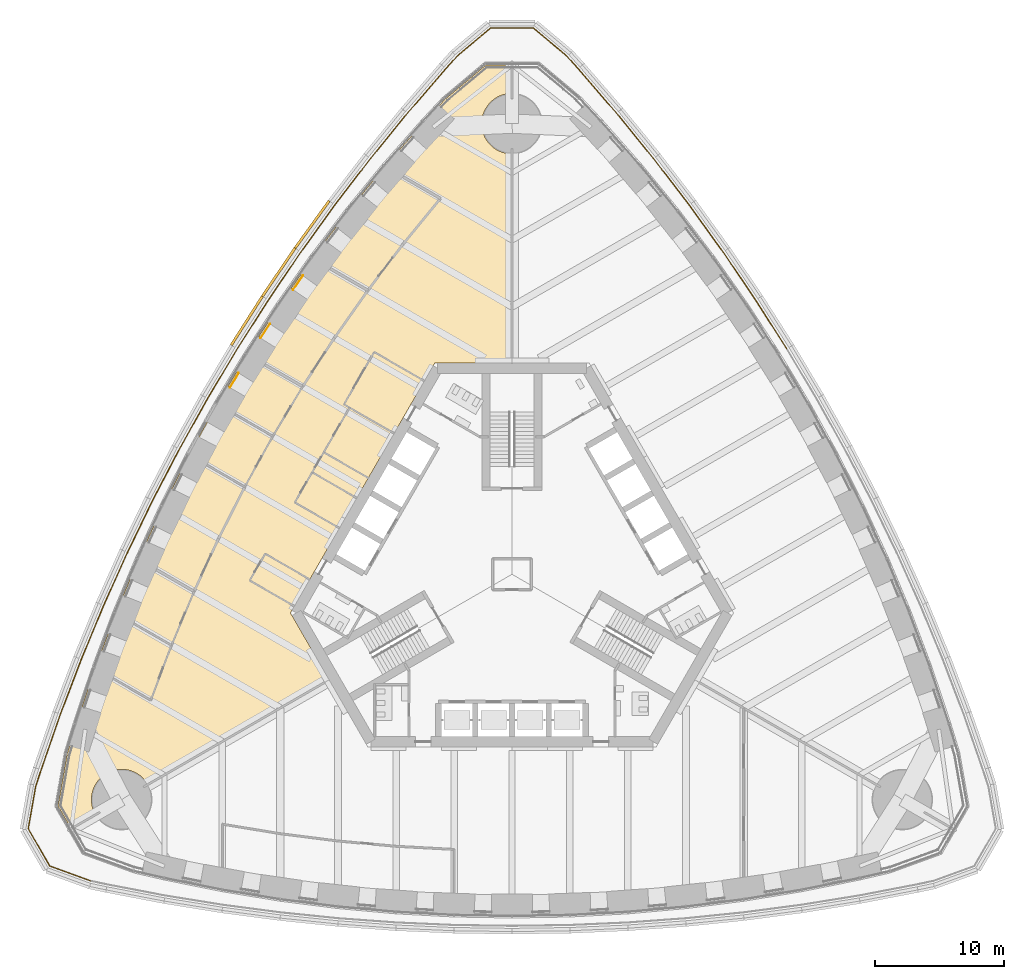
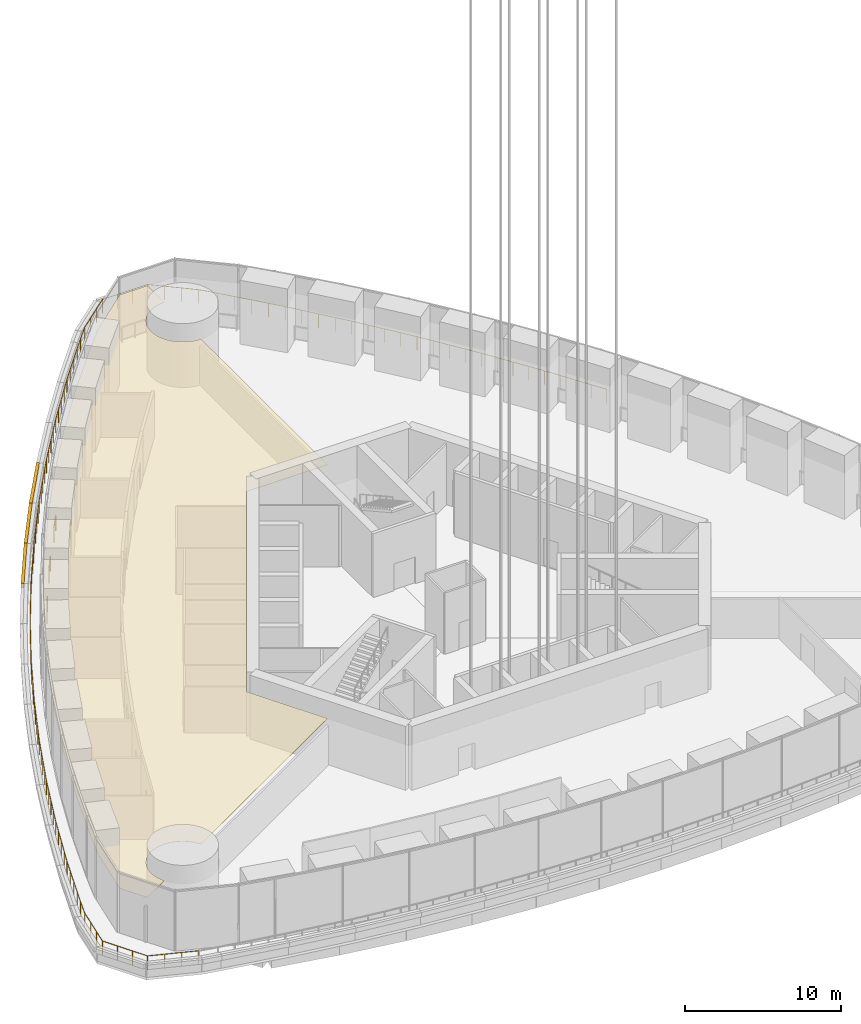
# One storey, part 20 of 33: 4 coverings, 4 railings.
"""IFC4 building model written with IfcOpenShell, lengths in metres."""

from ifc_helpers import new_model, si_unit, direction, frame, origin, origin_2d, place, context, subcontext, project, spatial, polyline, rectangle, circle, outline, extrude, material, layer, layer_set, type_object, element, save


model = new_model("IFC4")

# Units and contexts
model_context = context("Model", 3, precision=1e-05, world=origin(), true_north=direction((0.0, 1.0)))
body_context = subcontext(model_context, "Body", "Model", "MODEL_VIEW")
ifc_project = project(units=[si_unit("LENGTHUNIT", "METRE"), si_unit("AREAUNIT", "SQUARE_METRE"), si_unit("VOLUMEUNIT", "CUBIC_METRE"), si_unit("PLANEANGLEUNIT", "RADIAN"), si_unit("MASSUNIT", "GRAM", prefix="KILO")], contexts=[model_context])

# Site, building, storey
site_placement = place(None, origin())
site = spatial("IfcSite", under=ifc_project, at=site_placement, CompositionType="ELEMENT")
building_placement = place(site_placement, origin())
building = spatial("IfcBuilding", under=site, at=building_placement, Name="Trefoil Bronze Tower", CompositionType="ELEMENT")
storey_placement = place(building_placement, frame((0.0, 0.0, 98.10009765625)))
storey = spatial("IfcBuildingStorey", under=building, at=storey_placement, Name="L22", CompositionType="ELEMENT", Elevation=98.10009765625)

# Covering
ifc_material_1 = material(Name="Bronze metal ceiling panels", Category="metal")
ifc_layer = layer(ifc_material_1, 0.02001953125)
ifc_layer_set = layer_set([ifc_layer], Name="Feature ceiling 20")
covering_type_1 = type_object("IfcCoveringType", Name="Feature ceiling 20", PredefinedType="CEILING", material=ifc_layer_set)
covering_1_placement = place(storey_placement, frame((0.0, 0.0, 3.599853515625)))
element("IfcCovering", 1, at=covering_1_placement, inside=storey, type_object=covering_type_1, Name="Ceiling L22 Business centre F3", PredefinedType="CEILING", context=body_context, shape_type="SweptSolid", body=[
    extrude(outline(polyline([(-33.847900390625, -11.634765625), (-32.385986328125, -7.28271484375), (-30.776611328125, -3.015625), (-29.022216796875, 1.16748046875), (-27.124755859375, 5.268310546875), (-25.085693359375, 9.287109375), (-22.906005859375, 13.224853515625), (-20.585693359375, 17.081298828125), (-18.124755859375, 20.856689453125), (-15.522216796875, 24.55029296875), (-12.776611328125, 28.1611328125), (-9.885986328125, 31.6884765625), (-6.847900390625, 35.130615234375), (-5.1962890625, 36.8994140625), (-2.052001953125, 39.53759765625), (-0.014892578125, 39.53759765625), (-0.013916015625, 37.349609375), (-0.115234375, 37.34716796875), (-0.230224609375, 37.338623046875), (-0.3447265625, 37.32470703125), (-0.45849609375, 37.3046875), (-0.571044921875, 37.279541015625), (-0.68212890625, 37.248779296875), (-0.791748046875, 37.212646484375), (-0.8994140625, 37.171142578125), (-1.0048828125, 37.12451171875), (-1.10791015625, 37.072509765625), (-1.2080078125, 37.015625), (-1.3056640625, 36.9541015625), (-1.39990234375, 36.887451171875), (-1.49072265625, 36.816650390625), (-1.578125, 36.7412109375), (-1.66162109375, 36.66162109375), (-1.7412109375, 36.578125), (-1.816650390625, 36.49072265625), (-1.887451171875, 36.39990234375), (-1.9541015625, 36.3056640625), (-2.015625, 36.2080078125), (-2.072509765625, 36.10791015625), (-2.12451171875, 36.0048828125), (-2.171142578125, 35.8994140625), (-2.212646484375, 35.791748046875), (-2.248779296875, 35.68212890625), (-2.279541015625, 35.571044921875), (-2.3046875, 35.45849609375), (-2.32470703125, 35.3447265625), (-2.338623046875, 35.230224609375), (-2.34716796875, 35.115234375), (-2.35009765625, 35.0), (-2.34716796875, 34.884765625), (-2.338623046875, 34.769775390625), (-2.32470703125, 34.6552734375), (-2.3046875, 34.54150390625), (-2.279541015625, 34.428955078125), (-2.248779296875, 34.31787109375), (-2.212646484375, 34.208251953125), (-2.171142578125, 34.1005859375), (-2.12451171875, 33.9951171875), (-2.072509765625, 33.89208984375), (-2.015625, 33.7919921875), (-1.9541015625, 33.6943359375), (-1.887451171875, 33.60009765625), (-1.816650390625, 33.50927734375), (-1.7412109375, 33.421875), (-1.66162109375, 33.33837890625), (-1.578125, 33.2587890625), (-1.49072265625, 33.183349609375), (-1.39990234375, 33.112548828125), (-1.3056640625, 33.0458984375), (-1.2080078125, 32.984375), (-1.10791015625, 32.927490234375), (-1.0048828125, 32.87548828125), (-0.8994140625, 32.828857421875), (-0.791748046875, 32.787353515625), (-0.68212890625, 32.751220703125), (-0.571044921875, 32.720458984375), (-0.45849609375, 32.6953125), (-0.3447265625, 32.67529296875), (-0.230224609375, 32.661376953125), (-0.115234375, 32.65283203125), (-0.01220703125, 32.650390625), (-0.006103515625, 16.39990234375), (-6.00439453125, 16.39990234375), (-17.205078125, -3.0), (-14.205810546875, -8.194580078125), (-28.2822265625, -16.314697265625), (-28.295166015625, -16.2919921875), (-28.35693359375, -16.1943359375), (-28.42333984375, -16.10009765625), (-28.494384765625, -16.00927734375), (-28.569580078125, -15.921875), (-28.649169921875, -15.83837890625), (-28.732666015625, -15.7587890625), (-28.820068359375, -15.683349609375), (-28.910888671875, -15.612548828125), (-29.00537109375, -15.5458984375), (-29.102783203125, -15.484375), (-29.203125, -15.427490234375), (-29.30615234375, -15.37548828125), (-29.41162109375, -15.328857421875), (-29.519287109375, -15.287353515625), (-29.628662109375, -15.251220703125), (-29.739990234375, -15.220458984375), (-29.852294921875, -15.1953125), (-29.966064453125, -15.17529296875), (-30.08056640625, -15.161376953125), (-30.195556640625, -15.15283203125), (-30.310791015625, -15.14990234375), (-30.42626953125, -15.15283203125), (-30.541259765625, -15.161376953125), (-30.65576171875, -15.17529296875), (-30.769287109375, -15.1953125), (-30.8818359375, -15.220458984375), (-30.9931640625, -15.251220703125), (-31.1025390625, -15.287353515625), (-31.210205078125, -15.328857421875), (-31.315673828125, -15.37548828125), (-31.418701171875, -15.427490234375), (-31.51904296875, -15.484375), (-31.616455078125, -15.5458984375), (-31.710693359375, -15.612548828125), (-31.8017578125, -15.683349609375), (-31.88916015625, -15.7587890625), (-31.97265625, -15.83837890625), (-32.052001953125, -15.921875), (-32.12744140625, -16.00927734375), (-32.198486328125, -16.10009765625), (-32.264892578125, -16.1943359375), (-32.32666015625, -16.2919921875), (-32.38330078125, -16.39208984375), (-32.435302734375, -16.4951171875), (-32.48193359375, -16.6005859375), (-32.5234375, -16.708251953125), (-32.559814453125, -16.81787109375), (-32.590576171875, -16.928955078125), (-32.61572265625, -17.04150390625), (-32.635498046875, -17.1552734375), (-32.649658203125, -17.269775390625), (-32.658203125, -17.384765625), (-32.660888671875, -17.5), (-32.658203125, -17.615234375), (-32.649658203125, -17.730224609375), (-32.635498046875, -17.8447265625), (-32.61572265625, -17.95849609375), (-32.590576171875, -18.071044921875), (-32.559814453125, -18.18212890625), (-32.5234375, -18.291748046875), (-32.48193359375, -18.3994140625), (-32.435302734375, -18.5048828125), (-32.38330078125, -18.60791015625), (-32.352294921875, -18.66259765625), (-34.247802734375, -19.755859375), (-35.2666015625, -17.99169921875), (-34.5537109375, -13.94970703125), (-33.847900390625, -11.634765625)])), origin(), (0.0, 0.0, 1.0), 0.02001953125),
])

# Railings
ifc_material_2 = material(Name="Bronze-finish steel guard rail and posts", Category="steel")
railing_type_1 = type_object("IfcRailingType", Name="Glazing guard 1200", PredefinedType="GUARDRAIL", material=ifc_material_2)
railing_1_placement = place(storey_placement, frame((-16.233154296875, 23.195556640625, 0.0)))
element("IfcRailing", 2, at=railing_1_placement, inside=storey, type_object=railing_type_1, Name="Glazing guard L22.37", PredefinedType="GUARDRAIL", context=body_context, shape_type="SweptSolid", body=[
    extrude(circle(Radius=0.02392578125, at=origin_2d()), frame((0.0, 0.0, 1.17578125), z_axis=(-0.576003348321, -0.817447333302, 0.0), x_axis=(0.817447333302, -0.576003348321, 0.0)), (0.0, 0.0, 1.0), 1.33984375),
    extrude(circle(Radius=0.02099609375, at=origin_2d()), origin(), (0.0, 0.0, 1.0), 1.15185546875),
    extrude(circle(Radius=0.02099609375, at=origin_2d()), frame((-0.771728515625, -1.09521484375, 0.0)), (0.0, 0.0, 1.0), 1.15185546875),
])
railing_2_placement = place(storey_placement, frame((-18.8017578125, 19.452392578125, 0.0)))
element("IfcRailing", 3, at=railing_2_placement, inside=storey, type_object=railing_type_1, Name="Glazing guard L22.38", PredefinedType="GUARDRAIL", context=body_context, shape_type="SweptSolid", body=[
    extrude(circle(Radius=0.02392578125, at=origin_2d()), frame((0.0, 0.0, 1.17578125), z_axis=(-0.5460995048, -0.837720317801, 0.0), x_axis=(0.837720317801, -0.5460995048, 0.0)), (0.0, 0.0, 1.0), 1.327880859375),
    extrude(circle(Radius=0.02099609375, at=origin_2d()), origin(), (0.0, 0.0, 1.0), 1.15185546875),
    extrude(circle(Radius=0.02099609375, at=origin_2d()), frame((-0.72509765625, -1.1123046875, 0.0)), (0.0, 0.0, 1.0), 1.15185546875),
])
railing_3_placement = place(storey_placement, frame((-21.2265625, 15.628662109375, 0.0)))
element("IfcRailing", 4, at=railing_3_placement, inside=storey, type_object=railing_type_1, Name="Glazing guard L22.39", PredefinedType="GUARDRAIL", context=body_context, shape_type="SweptSolid", body=[
    extrude(circle(Radius=0.02392578125, at=origin_2d()), frame((0.0, 0.0, 1.17578125), z_axis=(-0.515527589576, -0.85687298031, 0.0), x_axis=(0.85687298031, -0.515527589576, 0.0)), (0.0, 0.0, 1.0), 1.32177734375),
    extrude(circle(Radius=0.02099609375, at=origin_2d()), origin(), (0.0, 0.0, 1.0), 1.15185546875),
    extrude(circle(Radius=0.02099609375, at=origin_2d()), frame((-0.681396484375, -1.132568359375, 0.0)), (0.0, 0.0, 1.0), 1.15185546875),
])
ifc_material_3 = material(Name="Galvanised steel guard rail and posts", Category="steel")
railing_type_2 = type_object("IfcRailingType", Name="Roof edge guard 1100", PredefinedType="GUARDRAIL", material=ifc_material_3)
railing_4_placement = place(storey_placement, frame((21.334716796875, 17.513916015625, 0.2998046875)))
element("IfcRailing", 5, at=railing_4_placement, inside=storey, type_object=railing_type_2, Name="Roof edge guard L22.2 maintenance access only", PredefinedType="GUARDRAIL", context=body_context, shape_type="SweptSolid", body=[
    extrude(circle(Radius=0.02392578125, at=origin_2d()), frame((0.0, 0.0, 1.076171875), z_axis=(-0.537205132487, 0.843451626135, 0.0), x_axis=(-0.843451626135, -0.537205132487, 0.0)), (0.0, 0.0, 1.0), 4.504150390625),
    extrude(circle(Radius=0.02392578125, at=origin_2d()), frame((-2.419677734375, 3.799072265625, 1.076171875), z_axis=(-0.561512004239, 0.827468591002, 0.0), x_axis=(-0.827468591002, -0.561512004239, 0.0)), (0.0, 0.0, 1.0), 4.51171875),
    extrude(circle(Radius=0.02392578125, at=origin_2d()), frame((-4.953125, 7.532470703125, 1.076171875), z_axis=(-0.585376255171, 0.810761765183, 0.0), x_axis=(-0.810761765183, -0.585376255171, 0.0)), (0.0, 0.0, 1.0), 4.5234375),
    extrude(circle(Radius=0.02392578125, at=origin_2d()), frame((-7.60107421875, 11.199951171875, 1.076171875), z_axis=(-0.608810912306, 0.79331536797, 0.0), x_axis=(-0.79331536797, -0.608810912306, 0.0)), (0.0, 0.0, 1.0), 4.53857421875),
    extrude(circle(Radius=0.02392578125, at=origin_2d()), frame((-10.3642578125, 14.800537109375, 1.076171875), z_axis=(-0.631807650035, 0.775125211406, 0.0), x_axis=(-0.775125211406, -0.631807650035, 0.0)), (0.0, 0.0, 1.0), 4.55859375),
    extrude(circle(Radius=0.02392578125, at=origin_2d()), frame((-13.244384765625, 18.333984375, 1.076171875), z_axis=(-0.654390805234, 0.756156514239, 0.0), x_axis=(-0.756156514239, -0.654390805234, 0.0)), (0.0, 0.0, 1.0), 4.582275390625),
    extrude(circle(Radius=0.02392578125, at=origin_2d()), frame((-16.242919921875, 21.798828125, 1.076171875), z_axis=(-0.668557008731, 0.743660894545, 0.0), x_axis=(-0.743660894545, -0.668557008731, 0.0)), (0.0, 0.0, 1.0), 1.29052734375),
    extrude(circle(Radius=0.02392578125, at=origin_2d()), frame((-17.105712890625, 22.758544921875, 1.076171875), z_axis=(-0.766030163902, 0.642804626611, 0.0), x_axis=(-0.642804626611, -0.766030163902, 0.0)), (0.0, 0.0, 1.0), 3.34033203125),
    extrude(circle(Radius=0.02392578125, at=origin_2d()), frame((-19.66455078125, 24.90576171875, 1.076171875), z_axis=(-1.0, 0.0, 0.0), x_axis=(0.0, -1.0, 0.0)), (0.0, 0.0, 1.0), 3.34033203125),
    extrude(circle(Radius=0.02392578125, at=origin_2d()), frame((-23.0048828125, 24.90576171875, 1.076171875), z_axis=(-0.766030163902, -0.642804626611, 0.0), x_axis=(0.642804626611, -0.766030163902, 0.0)), (0.0, 0.0, 1.0), 3.34033203125),
    extrude(circle(Radius=0.02392578125, at=origin_2d()), frame((-25.563720703125, 22.758544921875, 1.076171875), z_axis=(-0.668557008731, -0.743660894545, 0.0), x_axis=(0.743660894545, -0.668557008731, 0.0)), (0.0, 0.0, 1.0), 1.29052734375),
    extrude(circle(Radius=0.02392578125, at=origin_2d()), frame((-26.426513671875, 21.798828125, 1.076171875), z_axis=(-0.654390805234, -0.756156514239, 0.0), x_axis=(0.756156514239, -0.654390805234, 0.0)), (0.0, 0.0, 1.0), 4.582275390625),
    extrude(circle(Radius=0.02392578125, at=origin_2d()), frame((-29.425048828125, 18.333984375, 1.076171875), z_axis=(-0.631807650035, -0.775125211406, 0.0), x_axis=(0.775125211406, -0.631807650035, 0.0)), (0.0, 0.0, 1.0), 4.55859375),
    extrude(circle(Radius=0.02392578125, at=origin_2d()), frame((-32.30517578125, 14.800537109375, 1.076171875), z_axis=(-0.608810912306, -0.79331536797, 0.0), x_axis=(0.79331536797, -0.608810912306, 0.0)), (0.0, 0.0, 1.0), 4.53857421875),
    extrude(circle(Radius=0.02392578125, at=origin_2d()), frame((-35.068359375, 11.199951171875, 1.076171875), z_axis=(-0.585376255171, -0.810761765183, 0.0), x_axis=(0.810761765183, -0.585376255171, 0.0)), (0.0, 0.0, 1.0), 4.5234375),
    extrude(circle(Radius=0.02392578125, at=origin_2d()), frame((-37.71630859375, 7.532470703125, 1.076171875), z_axis=(-0.561512004239, -0.827468591002, 0.0), x_axis=(0.827468591002, -0.561512004239, 0.0)), (0.0, 0.0, 1.0), 4.51171875),
    extrude(circle(Radius=0.02392578125, at=origin_2d()), frame((-40.249755859375, 3.799072265625, 1.076171875), z_axis=(-0.537205132487, -0.843451626135, 0.0), x_axis=(0.843451626135, -0.537205132487, 0.0)), (0.0, 0.0, 1.0), 4.504150390625),
    extrude(circle(Radius=0.02392578125, at=origin_2d()), frame((-42.66943359375, 0.0, 1.076171875), z_axis=(-0.51252396108, -0.858672923364, 0.0), x_axis=(0.858672923364, -0.51252396108, 0.0)), (0.0, 0.0, 1.0), 4.50048828125),
    extrude(circle(Radius=0.02392578125, at=origin_2d()), frame((-44.97607421875, -3.864501953125, 1.076171875), z_axis=(-0.487350768834, -0.873206291844, 0.0), x_axis=(0.873206291844, -0.487350768834, 0.0)), (0.0, 0.0, 1.0), 4.50048828125),
    extrude(circle(Radius=0.02392578125, at=origin_2d()), frame((-47.16943359375, -7.79443359375, 1.076171875), z_axis=(-0.461852697957, -0.886956642339, 0.0), x_axis=(0.886956642339, -0.461852697957, 0.0)), (0.0, 0.0, 1.0), 4.50439453125),
    extrude(circle(Radius=0.02392578125, at=origin_2d()), frame((-49.249755859375, -11.78955078125, 1.076171875), z_axis=(-0.435857917556, -0.900015486369, 0.0), x_axis=(0.900015486369, -0.435857917556, 0.0)), (0.0, 0.0, 1.0), 4.511962890625),
    extrude(circle(Radius=0.02392578125, at=origin_2d()), frame((-51.21630859375, -15.850341796875, 1.076171875), z_axis=(-0.409451055745, -0.912332084796, 0.0), x_axis=(0.912332084796, -0.409451055745, 0.0)), (0.0, 0.0, 1.0), 4.523193359375),
    extrude(circle(Radius=0.02392578125, at=origin_2d()), frame((-53.068359375, -19.97705078125, 1.076171875), z_axis=(-0.382639984525, -0.923897527999, 0.0), x_axis=(0.923897527999, -0.382639984525, 0.0)), (0.0, 0.0, 1.0), 4.5390625),
    extrude(circle(Radius=0.02392578125, at=origin_2d()), frame((-54.80517578125, -24.170654296875, 1.076171875), z_axis=(-0.355369393324, -0.934725946087, 0.0), x_axis=(0.934725946087, -0.355369393324, 0.0)), (0.0, 0.0, 1.0), 4.558349609375),
    extrude(circle(Radius=0.02392578125, at=origin_2d()), frame((-56.425048828125, -28.431396484375, 1.076171875), z_axis=(-0.327664973678, -0.944793980201, 0.0), x_axis=(0.944793980201, -0.327664973678, 0.0)), (0.0, 0.0, 1.0), 4.582275390625),
    extrude(circle(Radius=0.02392578125, at=origin_2d()), frame((-57.926513671875, -32.7607421875, 1.076171875), z_axis=(-0.309749167884, -0.950818307036, 0.0), x_axis=(0.950818307036, -0.309749167884, 0.0)), (0.0, 0.0, 1.0), 1.290283203125),
    extrude(circle(Radius=0.02392578125, at=origin_2d()), frame((-58.326171875, -33.987548828125, 1.076171875), z_axis=(-0.173647747775, -0.984807828814, 0.0), x_axis=(0.984807828814, -0.173647747775, 0.0)), (0.0, 0.0, 1.0), 3.340576171875),
    extrude(circle(Radius=0.02392578125, at=origin_2d()), frame((-58.90625, -37.27734375, 1.076171875), z_axis=(0.499998720605, -0.866026142442, 0.0), x_axis=(0.866026142442, 0.499998720605, 0.0)), (0.0, 0.0, 1.0), 3.34033203125),
    extrude(circle(Radius=0.02392578125, at=origin_2d()), frame((-57.236083984375, -40.170166015625, 1.076171875), z_axis=(0.939682409406, -0.342048197559, 0.0), x_axis=(0.342048197559, 0.939682409406, 0.0)), (0.0, 0.0, 1.0), 3.34033203125),
    extrude(circle(Radius=0.02099609375, at=origin_2d()), origin(), (0.0, 0.0, 1.0), 1.052001953125),
    extrude(circle(Radius=0.02099609375, at=origin_2d()), frame((-0.60498046875, 0.94970703125, 0.0)), (0.0, 0.0, 1.0), 1.052001953125),
    extrude(circle(Radius=0.02099609375, at=origin_2d()), frame((-1.2099609375, 1.8994140625, 0.0)), (0.0, 0.0, 1.0), 1.052001953125),
    extrude(circle(Radius=0.02099609375, at=origin_2d()), frame((-1.814697265625, 2.849365234375, 0.0)), (0.0, 0.0, 1.0), 1.052001953125),
    extrude(circle(Radius=0.02099609375, at=origin_2d()), frame((-2.419677734375, 3.799072265625, 0.0)), (0.0, 0.0, 1.0), 1.052001953125),
    extrude(circle(Radius=0.02099609375, at=origin_2d()), frame((-3.052978515625, 4.732421875, 0.0)), (0.0, 0.0, 1.0), 1.052001953125),
    extrude(circle(Radius=0.02099609375, at=origin_2d()), frame((-3.6865234375, 5.665771484375, 0.0)), (0.0, 0.0, 1.0), 1.052001953125),
    extrude(circle(Radius=0.02099609375, at=origin_2d()), frame((-4.31982421875, 6.59912109375, 0.0)), (0.0, 0.0, 1.0), 1.052001953125),
    extrude(circle(Radius=0.02099609375, at=origin_2d()), frame((-4.953125, 7.532470703125, 0.0)), (0.0, 0.0, 1.0), 1.052001953125),
    extrude(circle(Radius=0.02099609375, at=origin_2d()), frame((-5.615234375, 8.44921875, 0.0)), (0.0, 0.0, 1.0), 1.052001953125),
    extrude(circle(Radius=0.02099609375, at=origin_2d()), frame((-6.277099609375, 9.3662109375, 0.0)), (0.0, 0.0, 1.0), 1.052001953125),
    extrude(circle(Radius=0.02099609375, at=origin_2d()), frame((-6.93896484375, 10.283203125, 0.0)), (0.0, 0.0, 1.0), 1.052001953125),
    extrude(circle(Radius=0.02099609375, at=origin_2d()), frame((-7.60107421875, 11.199951171875, 0.0)), (0.0, 0.0, 1.0), 1.052001953125),
    extrude(circle(Radius=0.02099609375, at=origin_2d()), frame((-8.2919921875, 12.10009765625, 0.0)), (0.0, 0.0, 1.0), 1.052001953125),
    extrude(circle(Radius=0.02099609375, at=origin_2d()), frame((-8.982666015625, 13.000244140625, 0.0)), (0.0, 0.0, 1.0), 1.052001953125),
    extrude(circle(Radius=0.02099609375, at=origin_2d()), frame((-9.67333984375, 13.900390625, 0.0)), (0.0, 0.0, 1.0), 1.052001953125),
    extrude(circle(Radius=0.02099609375, at=origin_2d()), frame((-10.3642578125, 14.800537109375, 0.0)), (0.0, 0.0, 1.0), 1.052001953125),
    extrude(circle(Radius=0.02099609375, at=origin_2d()), frame((-11.084228515625, 15.683837890625, 0.0)), (0.0, 0.0, 1.0), 1.052001953125),
    extrude(circle(Radius=0.02099609375, at=origin_2d()), frame((-11.80419921875, 16.5673828125, 0.0)), (0.0, 0.0, 1.0), 1.052001953125),
    extrude(circle(Radius=0.02099609375, at=origin_2d()), frame((-12.5244140625, 17.45068359375, 0.0)), (0.0, 0.0, 1.0), 1.052001953125),
    extrude(circle(Radius=0.02099609375, at=origin_2d()), frame((-13.244384765625, 18.333984375, 0.0)), (0.0, 0.0, 1.0), 1.052001953125),
    extrude(circle(Radius=0.02099609375, at=origin_2d()), frame((-13.994140625, 19.2001953125, 0.0)), (0.0, 0.0, 1.0), 1.052001953125),
    extrude(circle(Radius=0.02099609375, at=origin_2d()), frame((-14.74365234375, 20.06640625, 0.0)), (0.0, 0.0, 1.0), 1.052001953125),
    extrude(circle(Radius=0.02099609375, at=origin_2d()), frame((-15.4931640625, 20.9326171875, 0.0)), (0.0, 0.0, 1.0), 1.052001953125),
    extrude(circle(Radius=0.02099609375, at=origin_2d()), frame((-16.242919921875, 21.798828125, 0.0)), (0.0, 0.0, 1.0), 1.052001953125),
    extrude(circle(Radius=0.02099609375, at=origin_2d()), frame((-17.105712890625, 22.758544921875, 0.0)), (0.0, 0.0, 1.0), 1.052001953125),
    extrude(circle(Radius=0.02099609375, at=origin_2d()), frame((-17.958740234375, 23.474365234375, 0.0)), (0.0, 0.0, 1.0), 1.052001953125),
    extrude(circle(Radius=0.02099609375, at=origin_2d()), frame((-18.8115234375, 24.18994140625, 0.0)), (0.0, 0.0, 1.0), 1.052001953125),
    extrude(circle(Radius=0.02099609375, at=origin_2d()), frame((-19.66455078125, 24.90576171875, 0.0)), (0.0, 0.0, 1.0), 1.052001953125),
    extrude(circle(Radius=0.02099609375, at=origin_2d()), frame((-20.778076171875, 24.90576171875, 0.0)), (0.0, 0.0, 1.0), 1.052001953125),
    extrude(circle(Radius=0.02099609375, at=origin_2d()), frame((-21.891357421875, 24.90576171875, 0.0)), (0.0, 0.0, 1.0), 1.052001953125),
    extrude(circle(Radius=0.02099609375, at=origin_2d()), frame((-23.0048828125, 24.90576171875, 0.0)), (0.0, 0.0, 1.0), 1.052001953125),
    extrude(circle(Radius=0.02099609375, at=origin_2d()), frame((-23.85791015625, 24.18994140625, 0.0)), (0.0, 0.0, 1.0), 1.052001953125),
    extrude(circle(Radius=0.02099609375, at=origin_2d()), frame((-24.710693359375, 23.474365234375, 0.0)), (0.0, 0.0, 1.0), 1.052001953125),
    extrude(circle(Radius=0.02099609375, at=origin_2d()), frame((-25.563720703125, 22.758544921875, 0.0)), (0.0, 0.0, 1.0), 1.052001953125),
    extrude(circle(Radius=0.02099609375, at=origin_2d()), frame((-26.426513671875, 21.798828125, 0.0)), (0.0, 0.0, 1.0), 1.052001953125),
    extrude(circle(Radius=0.02099609375, at=origin_2d()), frame((-27.17626953125, 20.9326171875, 0.0)), (0.0, 0.0, 1.0), 1.052001953125),
    extrude(circle(Radius=0.02099609375, at=origin_2d()), frame((-27.92578125, 20.06640625, 0.0)), (0.0, 0.0, 1.0), 1.052001953125),
    extrude(circle(Radius=0.02099609375, at=origin_2d()), frame((-28.67529296875, 19.2001953125, 0.0)), (0.0, 0.0, 1.0), 1.052001953125),
    extrude(circle(Radius=0.02099609375, at=origin_2d()), frame((-29.425048828125, 18.333984375, 0.0)), (0.0, 0.0, 1.0), 1.052001953125),
    extrude(circle(Radius=0.02099609375, at=origin_2d()), frame((-30.14501953125, 17.45068359375, 0.0)), (0.0, 0.0, 1.0), 1.052001953125),
    extrude(circle(Radius=0.02099609375, at=origin_2d()), frame((-30.865234375, 16.5673828125, 0.0)), (0.0, 0.0, 1.0), 1.052001953125),
    extrude(circle(Radius=0.02099609375, at=origin_2d()), frame((-31.585205078125, 15.683837890625, 0.0)), (0.0, 0.0, 1.0), 1.052001953125),
    extrude(circle(Radius=0.02099609375, at=origin_2d()), frame((-32.30517578125, 14.800537109375, 0.0)), (0.0, 0.0, 1.0), 1.052001953125),
    extrude(circle(Radius=0.02099609375, at=origin_2d()), frame((-32.99609375, 13.900390625, 0.0)), (0.0, 0.0, 1.0), 1.052001953125),
    extrude(circle(Radius=0.02099609375, at=origin_2d()), frame((-33.686767578125, 13.000244140625, 0.0)), (0.0, 0.0, 1.0), 1.052001953125),
    extrude(circle(Radius=0.02099609375, at=origin_2d()), frame((-34.37744140625, 12.10009765625, 0.0)), (0.0, 0.0, 1.0), 1.052001953125),
    extrude(circle(Radius=0.02099609375, at=origin_2d()), frame((-35.068359375, 11.199951171875, 0.0)), (0.0, 0.0, 1.0), 1.052001953125),
    extrude(circle(Radius=0.02099609375, at=origin_2d()), frame((-35.73046875, 10.283203125, 0.0)), (0.0, 0.0, 1.0), 1.052001953125),
    extrude(circle(Radius=0.02099609375, at=origin_2d()), frame((-36.392333984375, 9.3662109375, 0.0)), (0.0, 0.0, 1.0), 1.052001953125),
    extrude(circle(Radius=0.02099609375, at=origin_2d()), frame((-37.05419921875, 8.44921875, 0.0)), (0.0, 0.0, 1.0), 1.052001953125),
    extrude(circle(Radius=0.02099609375, at=origin_2d()), frame((-37.71630859375, 7.532470703125, 0.0)), (0.0, 0.0, 1.0), 1.052001953125),
    extrude(circle(Radius=0.02099609375, at=origin_2d()), frame((-38.349609375, 6.59912109375, 0.0)), (0.0, 0.0, 1.0), 1.052001953125),
    extrude(circle(Radius=0.02099609375, at=origin_2d()), frame((-38.98291015625, 5.665771484375, 0.0)), (0.0, 0.0, 1.0), 1.052001953125),
    extrude(circle(Radius=0.02099609375, at=origin_2d()), frame((-39.616455078125, 4.732421875, 0.0)), (0.0, 0.0, 1.0), 1.052001953125),
    extrude(circle(Radius=0.02099609375, at=origin_2d()), frame((-40.249755859375, 3.799072265625, 0.0)), (0.0, 0.0, 1.0), 1.052001953125),
    extrude(circle(Radius=0.02099609375, at=origin_2d()), frame((-40.854736328125, 2.849365234375, 0.0)), (0.0, 0.0, 1.0), 1.052001953125),
    extrude(circle(Radius=0.02099609375, at=origin_2d()), frame((-41.45947265625, 1.8994140625, 0.0)), (0.0, 0.0, 1.0), 1.052001953125),
    extrude(circle(Radius=0.02099609375, at=origin_2d()), frame((-42.064453125, 0.94970703125, 0.0)), (0.0, 0.0, 1.0), 1.052001953125),
    extrude(circle(Radius=0.02099609375, at=origin_2d()), frame((-42.66943359375, 0.0, 0.0)), (0.0, 0.0, 1.0), 1.052001953125),
    extrude(circle(Radius=0.02099609375, at=origin_2d()), frame((-43.24609375, -0.966064453125, 0.0)), (0.0, 0.0, 1.0), 1.052001953125),
    extrude(circle(Radius=0.02099609375, at=origin_2d()), frame((-43.82275390625, -1.93212890625, 0.0)), (0.0, 0.0, 1.0), 1.052001953125),
    extrude(circle(Radius=0.02099609375, at=origin_2d()), frame((-44.3994140625, -2.8984375, 0.0)), (0.0, 0.0, 1.0), 1.052001953125),
    extrude(circle(Radius=0.02099609375, at=origin_2d()), frame((-44.97607421875, -3.864501953125, 0.0)), (0.0, 0.0, 1.0), 1.052001953125),
    extrude(circle(Radius=0.02099609375, at=origin_2d()), frame((-45.5244140625, -4.846923828125, 0.0)), (0.0, 0.0, 1.0), 1.052001953125),
    extrude(circle(Radius=0.02099609375, at=origin_2d()), frame((-46.07275390625, -5.82958984375, 0.0)), (0.0, 0.0, 1.0), 1.052001953125),
    extrude(circle(Radius=0.02099609375, at=origin_2d()), frame((-46.62109375, -6.81201171875, 0.0)), (0.0, 0.0, 1.0), 1.052001953125),
    extrude(circle(Radius=0.02099609375, at=origin_2d()), frame((-47.16943359375, -7.79443359375, 0.0)), (0.0, 0.0, 1.0), 1.052001953125),
    extrude(circle(Radius=0.02099609375, at=origin_2d()), frame((-47.689453125, -8.793212890625, 0.0)), (0.0, 0.0, 1.0), 1.052001953125),
    extrude(circle(Radius=0.02099609375, at=origin_2d()), frame((-48.20947265625, -9.7919921875, 0.0)), (0.0, 0.0, 1.0), 1.052001953125),
    extrude(circle(Radius=0.02099609375, at=origin_2d()), frame((-48.729736328125, -10.790771484375, 0.0)), (0.0, 0.0, 1.0), 1.052001953125),
    extrude(circle(Radius=0.02099609375, at=origin_2d()), frame((-49.249755859375, -11.78955078125, 0.0)), (0.0, 0.0, 1.0), 1.052001953125),
    extrude(circle(Radius=0.02099609375, at=origin_2d()), frame((-49.741455078125, -12.8046875, 0.0)), (0.0, 0.0, 1.0), 1.052001953125),
    extrude(circle(Radius=0.02099609375, at=origin_2d()), frame((-50.23291015625, -13.81982421875, 0.0)), (0.0, 0.0, 1.0), 1.052001953125),
    extrude(circle(Radius=0.02099609375, at=origin_2d()), frame((-50.724609375, -14.835205078125, 0.0)), (0.0, 0.0, 1.0), 1.052001953125),
    extrude(circle(Radius=0.02099609375, at=origin_2d()), frame((-51.21630859375, -15.850341796875, 0.0)), (0.0, 0.0, 1.0), 1.052001953125),
    extrude(circle(Radius=0.02099609375, at=origin_2d()), frame((-51.67919921875, -16.882080078125, 0.0)), (0.0, 0.0, 1.0), 1.052001953125),
    extrude(circle(Radius=0.02099609375, at=origin_2d()), frame((-52.142333984375, -17.91357421875, 0.0)), (0.0, 0.0, 1.0), 1.052001953125),
    extrude(circle(Radius=0.02099609375, at=origin_2d()), frame((-52.60546875, -18.9453125, 0.0)), (0.0, 0.0, 1.0), 1.052001953125),
    extrude(circle(Radius=0.02099609375, at=origin_2d()), frame((-53.068359375, -19.97705078125, 0.0)), (0.0, 0.0, 1.0), 1.052001953125),
    extrude(circle(Radius=0.02099609375, at=origin_2d()), frame((-53.50244140625, -21.025390625, 0.0)), (0.0, 0.0, 1.0), 1.052001953125),
    extrude(circle(Radius=0.02099609375, at=origin_2d()), frame((-53.936767578125, -22.07373046875, 0.0)), (0.0, 0.0, 1.0), 1.052001953125),
    extrude(circle(Radius=0.02099609375, at=origin_2d()), frame((-54.37109375, -23.122314453125, 0.0)), (0.0, 0.0, 1.0), 1.052001953125),
    extrude(circle(Radius=0.02099609375, at=origin_2d()), frame((-54.80517578125, -24.170654296875, 0.0)), (0.0, 0.0, 1.0), 1.052001953125),
    extrude(circle(Radius=0.02099609375, at=origin_2d()), frame((-55.210205078125, -25.23583984375, 0.0)), (0.0, 0.0, 1.0), 1.052001953125),
    extrude(circle(Radius=0.02099609375, at=origin_2d()), frame((-55.615234375, -26.301025390625, 0.0)), (0.0, 0.0, 1.0), 1.052001953125),
    extrude(circle(Radius=0.02099609375, at=origin_2d()), frame((-56.02001953125, -27.3662109375, 0.0)), (0.0, 0.0, 1.0), 1.052001953125),
    extrude(circle(Radius=0.02099609375, at=origin_2d()), frame((-56.425048828125, -28.431396484375, 0.0)), (0.0, 0.0, 1.0), 1.052001953125),
    extrude(circle(Radius=0.02099609375, at=origin_2d()), frame((-56.80029296875, -29.513671875, 0.0)), (0.0, 0.0, 1.0), 1.052001953125),
    extrude(circle(Radius=0.02099609375, at=origin_2d()), frame((-57.17578125, -30.59619140625, 0.0)), (0.0, 0.0, 1.0), 1.052001953125),
    extrude(circle(Radius=0.02099609375, at=origin_2d()), frame((-57.55126953125, -31.678466796875, 0.0)), (0.0, 0.0, 1.0), 1.052001953125),
    extrude(circle(Radius=0.02099609375, at=origin_2d()), frame((-57.926513671875, -32.7607421875, 0.0)), (0.0, 0.0, 1.0), 1.052001953125),
    extrude(circle(Radius=0.02099609375, at=origin_2d()), frame((-58.326171875, -33.987548828125, 0.0)), (0.0, 0.0, 1.0), 1.052001953125),
    extrude(circle(Radius=0.02099609375, at=origin_2d()), frame((-58.51953125, -35.084228515625, 0.0)), (0.0, 0.0, 1.0), 1.052001953125),
    extrude(circle(Radius=0.02099609375, at=origin_2d()), frame((-58.712890625, -36.1806640625, 0.0)), (0.0, 0.0, 1.0), 1.052001953125),
    extrude(circle(Radius=0.02099609375, at=origin_2d()), frame((-58.90625, -37.27734375, 0.0)), (0.0, 0.0, 1.0), 1.052001953125),
    extrude(circle(Radius=0.02099609375, at=origin_2d()), frame((-58.349609375, -38.24169921875, 0.0)), (0.0, 0.0, 1.0), 1.052001953125),
    extrude(circle(Radius=0.02099609375, at=origin_2d()), frame((-57.792724609375, -39.205810546875, 0.0)), (0.0, 0.0, 1.0), 1.052001953125),
    extrude(circle(Radius=0.02099609375, at=origin_2d()), frame((-57.236083984375, -40.170166015625, 0.0)), (0.0, 0.0, 1.0), 1.052001953125),
    extrude(circle(Radius=0.02099609375, at=origin_2d()), frame((-56.189697265625, -40.551025390625, 0.0)), (0.0, 0.0, 1.0), 1.052001953125),
    extrude(circle(Radius=0.02099609375, at=origin_2d()), frame((-55.1435546875, -40.931884765625, 0.0)), (0.0, 0.0, 1.0), 1.052001953125),
    extrude(circle(Radius=0.02099609375, at=origin_2d()), frame((-54.09716796875, -41.312744140625, 0.0)), (0.0, 0.0, 1.0), 1.052001953125),
])

# Coverings
ifc_material_4 = material(Name="Stepped bronze-finish aluminium cornice", Category="aluminium")
covering_type_2 = type_object("IfcCoveringType", Name="Setback cornice 350x200", PredefinedType="MOLDING", material=ifc_material_4)
covering_2_placement = place(storey_placement, frame((-15.521484375, 27.17431640625, 0.749755859375), z_axis=(0.0, 0.0, 1.0), x_axis=(-0.585372522326, -0.810764460312, 0.0)))
element("IfcCovering", 6, at=covering_2_placement, inside=storey, type_object=covering_type_2, Name="Setback cornice L22.42", PredefinedType="MOLDING", context=body_context, shape_type="SweptSolid", body=[
    extrude(rectangle(XDim=4.5234375, YDim=0.199951171875, at=origin_2d()), origin(), (0.0, 0.0, 1.0), 0.35009765625),
])
covering_3_placement = place(storey_placement, frame((-18.115966796875, 23.468505859375, 0.749755859375), z_axis=(0.0, 0.0, 1.0), x_axis=(-0.561509680828, -0.827470167642, 0.0)))
element("IfcCovering", 7, at=covering_3_placement, inside=storey, type_object=covering_type_2, Name="Setback cornice L22.43", PredefinedType="MOLDING", context=body_context, shape_type="SweptSolid", body=[
    extrude(rectangle(XDim=4.511962890625, YDim=0.199951171875, at=origin_2d()), origin(), (0.0, 0.0, 1.0), 0.35009765625),
])
covering_4_placement = place(storey_placement, frame((-20.59619140625, 19.69677734375, 0.749755859375), z_axis=(0.0, 0.0, 1.0), x_axis=(-0.537222392307, -0.843440632886, 0.0)))
element("IfcCovering", 8, at=covering_4_placement, inside=storey, type_object=covering_type_2, Name="Setback cornice L22.44", PredefinedType="MOLDING", context=body_context, shape_type="SweptSolid", body=[
    extrude(rectangle(XDim=4.504150390625, YDim=0.199951171875, at=origin_2d()), origin(), (0.0, 0.0, 1.0), 0.35009765625),
])

save(model, "model.ifc")
